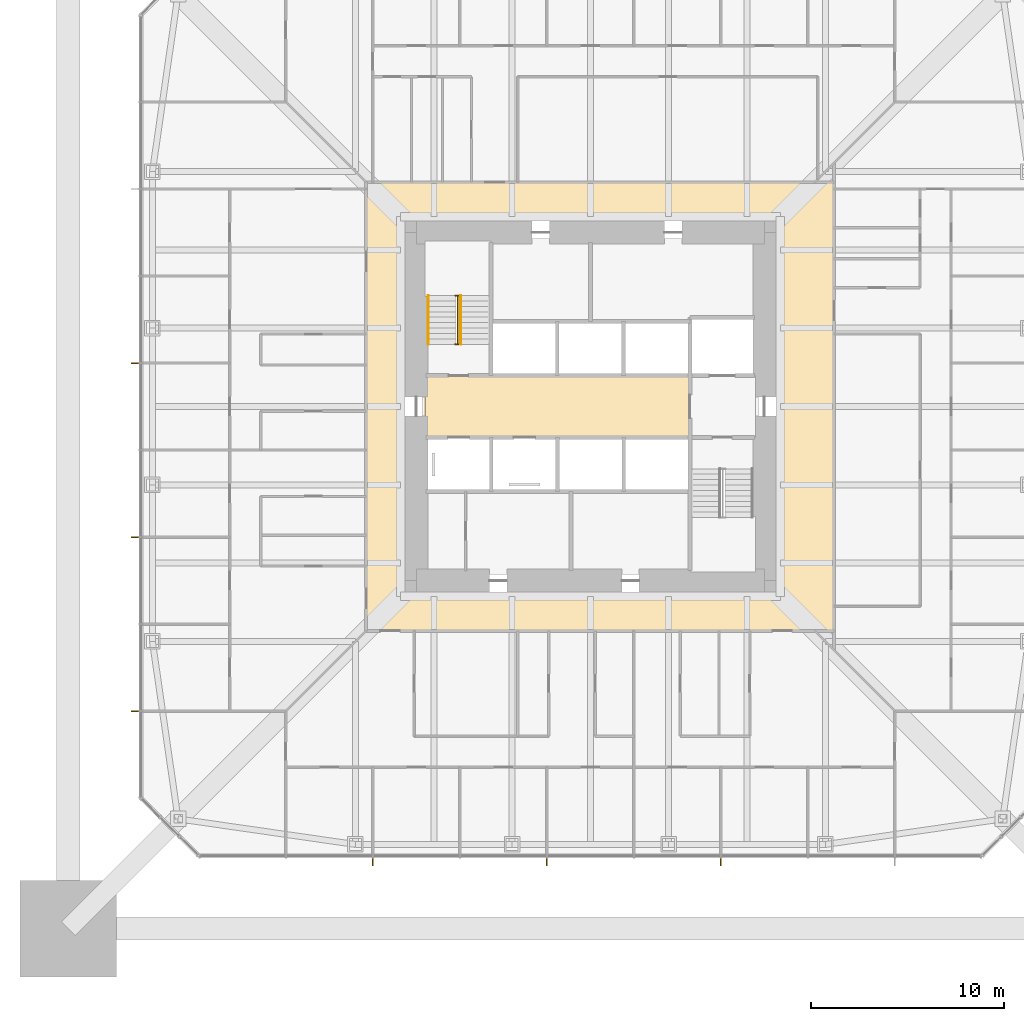
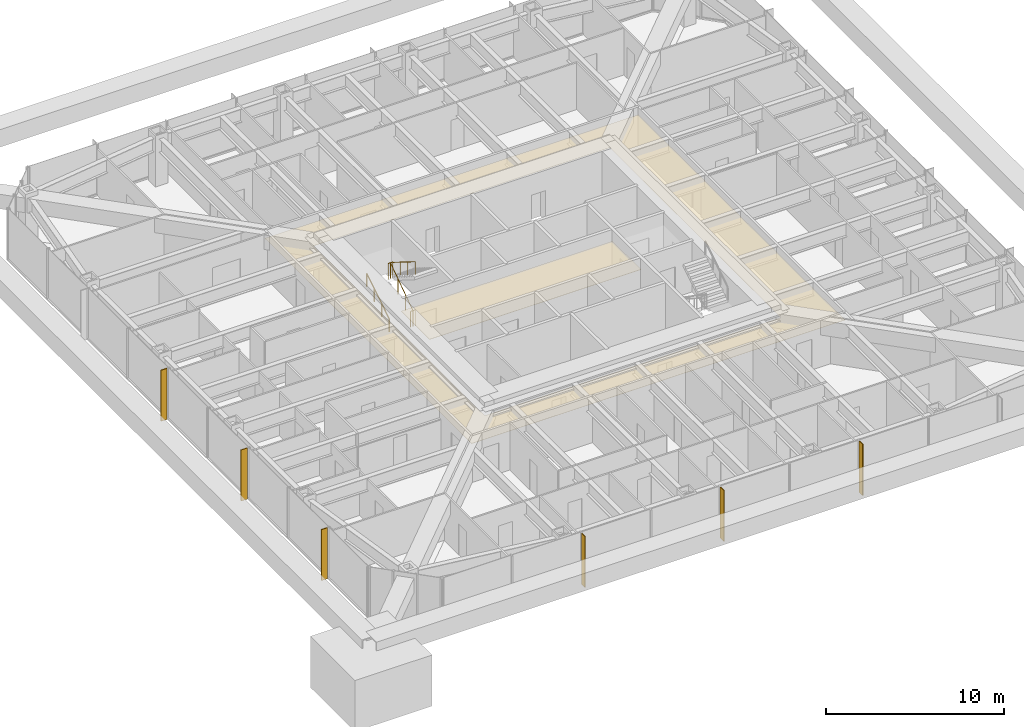
# One storey, part 29 of 32: 6 shading devices, 3 railings, 2 coverings.
"""IFC4 building model written with IfcOpenShell, lengths in metres."""

from ifc_helpers import new_model, si_unit, direction, frame, origin, origin_2d, place, context, subcontext, project, spatial, polyline, rectangle, circle, outline, extrude, material, layer, layer_set, constituent, constituent_set, type_object, element, save


model = new_model("IFC4")

# Units and contexts
model_context = context("Model", 3, precision=1e-05, world=origin(), true_north=direction((0.0, 1.0)))
body_context = subcontext(model_context, "Body", "Model", "MODEL_VIEW")
ifc_project = project(units=[si_unit("LENGTHUNIT", "METRE"), si_unit("AREAUNIT", "SQUARE_METRE"), si_unit("VOLUMEUNIT", "CUBIC_METRE"), si_unit("PLANEANGLEUNIT", "RADIAN"), si_unit("MASSUNIT", "GRAM", prefix="KILO")], contexts=[model_context])

# Site, building, storey
site_placement = place(None, origin())
site = spatial("IfcSite", under=ifc_project, at=site_placement, CompositionType="ELEMENT")
building_placement = place(site_placement, origin())
building = spatial("IfcBuilding", under=site, at=building_placement, Name="Iwan Alto Co-Living Towers", CompositionType="ELEMENT")
storey_placement = place(building_placement, frame((0.0, 0.0, 71.0)))
storey = spatial("IfcBuildingStorey", under=building, at=storey_placement, Name="L19", CompositionType="ELEMENT", Elevation=71.0)

# Covering
ifc_material_1 = material(Name="Mineral fibre acoustic tiles on steel grid", Category="steel")
ifc_layer_1 = layer(ifc_material_1, 0.02001953125)
ifc_layer_set_1 = layer_set([ifc_layer_1], Name="ACOUSTIC TILE CEILING 20")
covering_type_1 = type_object("IfcCoveringType", Name="ACOUSTIC TILE CEILING 20", PredefinedType="CEILING", material=ifc_layer_set_1)
covering_1_placement = place(storey_placement, frame((0.0, 0.0, 2.60009765625)))
element("IfcCovering", 1, at=covering_1_placement, inside=storey, type_object=covering_type_1, Name="Ceiling Lift lobby L19", PredefinedType="CEILING", context=body_context, shape_type="SweptSolid", body=[
    extrude(outline(polyline([(-8.550048828125, -1.60009765625), (-8.550048828125, 1.60009765625), (5.14990234375, 1.60009765625), (5.14990234375, -1.60009765625), (-8.550048828125, -1.60009765625)])), origin(), (0.0, 0.0, 1.0), 0.02001953125),
])

# Shading devices
ifc_material_2 = material(Name="Aluminium 6063-T6 bronze anodised", Category="aluminium")
ifc_layer_2 = layer(ifc_material_2, 0.050048828125)
ifc_layer_set_2 = layer_set([ifc_layer_2], Name="BRONZE FIN 50X400")
shading_device_type = type_object("IfcShadingDeviceType", Name="BRONZE FIN 50X400", PredefinedType="USERDEFINED", material=ifc_layer_set_2)
for number, where, z_axis, x_axis, name in (
    (2, (-11.25, -23.550048828125, 0.0), (0.0, 0.0, 1.0), (1.0, 0.0, 0.0), "Bronze fin L19"),
    (3, (-2.25, -23.550048828125, 0.0), (0.0, 0.0, 1.0), (1.0, 0.0, 0.0), "Bronze fin L19"),
    (4, (6.75, -23.550048828125, 0.0), (0.0, 0.0, 1.0), (1.0, 0.0, 0.0), "Bronze fin L19"),
    (5, (-23.550048828125, 2.25, 0.0), (0.0, 0.0, 1.0), (0.0, -1.0, 0.0), "Bronze fin L19"),
    (6, (-23.550048828125, -6.75, 0.0), (0.0, 0.0, 1.0), (0.0, -1.0, 0.0), "Bronze fin L19"),
    (7, (-23.550048828125, -15.75, 0.0), (0.0, 0.0, 1.0), (0.0, -1.0, 0.0), "Bronze fin L19"),
):
    element("IfcShadingDevice", number, at=place(storey_placement, frame(where, z_axis=z_axis, x_axis=x_axis)), inside=storey, type_object=shading_device_type, Name=name, ObjectType="LOUVER", PredefinedType="USERDEFINED", context=body_context, shape_type="SweptSolid", body=[
        extrude(rectangle(XDim=0.050048828125, YDim=0.39990234375, at=origin_2d()), origin(), (0.0, 0.0, 1.0), 3.5),
    ])

# Railings
ifc_material_3 = material(Name="Steel ASTM A500 Gr C", Category="steel")
ifc_constituent_1 = constituent(ifc_material_3, Name="Rails and posts", Category="Framing")
ifc_material_4 = material(Name="Steel ASTM A36", Category="steel")
ifc_constituent_2 = constituent(ifc_material_4, Name="Bar infill", Category="Infill")
ifc_constituent_set = constituent_set(constituents=[ifc_constituent_1, ifc_constituent_2], Name="STAIR GUARD 1100")
railing_type_1 = type_object("IfcRailingType", Name="STAIR GUARD 1100", PredefinedType="GUARDRAIL", material=ifc_constituent_set)
railing_1_placement = place(storey_placement, frame((-6.85009765625, 3.219970703125, 0.0)))
element("IfcRailing", 8, at=railing_1_placement, inside=storey, type_object=railing_type_1, Name="Stair T1-S1 well guard L19", PredefinedType="GUARDRAIL", context=body_context, shape_type="SweptSolid", body=[
    extrude(circle(Radius=0.02392578125, at=origin_2d()), frame((0.0, 0.0, 1.076171875), z_axis=(0.0, 0.821372036852, 0.570392826987), x_axis=(-1.0, 0.0, 0.0)), (0.0, 0.0, 1.0), 3.068115234375),
    extrude(circle(Radius=0.02392578125, at=origin_2d()), frame((-0.14990234375, 0.0, 1.076171875), z_axis=(1.0, 0.0, 0.0), x_axis=(0.0, 1.0, 0.0)), (0.0, 0.0, 1.0), 0.300048828125),
    extrude(circle(Radius=0.02392578125, at=origin_2d()), frame((-0.14990234375, 2.52001953125, 2.826171875), z_axis=(1.0, 0.0, 0.0), x_axis=(0.0, 1.0, 0.0)), (0.0, 0.0, 1.0), 0.300048828125),
    extrude(circle(Radius=0.02099609375, at=origin_2d()), origin(), (0.0, 0.0, 1.0), 1.052001953125),
    extrude(circle(Radius=0.02099609375, at=origin_2d()), frame((0.0, 0.840087890625, 0.583251953125)), (0.0, 0.0, 1.0), 1.052001953125),
    extrude(circle(Radius=0.02099609375, at=origin_2d()), frame((0.0, 1.679931640625, 1.166748046875)), (0.0, 0.0, 1.0), 1.052001953125),
    extrude(circle(Radius=0.02099609375, at=origin_2d()), frame((0.0, 2.52001953125, 1.75)), (0.0, 0.0, 1.0), 1.052001953125),
    extrude(circle(Radius=0.02099609375, at=origin_2d()), frame((-0.14990234375, 0.0, 0.0)), (0.0, 0.0, 1.0), 1.052001953125),
    extrude(circle(Radius=0.02099609375, at=origin_2d()), frame((0.150146484375, 0.0, 0.0)), (0.0, 0.0, 1.0), 1.052001953125),
    extrude(circle(Radius=0.02099609375, at=origin_2d()), frame((-0.14990234375, 2.52001953125, 1.75)), (0.0, 0.0, 1.0), 1.052001953125),
    extrude(circle(Radius=0.02099609375, at=origin_2d()), frame((0.150146484375, 2.52001953125, 1.75)), (0.0, 0.0, 1.0), 1.052001953125),
])
ifc_material_5 = material(Name="Steel ASTM A500 Gr C", Category="steel")
railing_type_2 = type_object("IfcRailingType", Name="STAIR HANDRAIL 900", PredefinedType="HANDRAIL", material=ifc_material_5)
railing_2_placement = place(storey_placement, frame((-8.3798828125, 3.219970703125, 0.175048828125)))
element("IfcRailing", 9, at=railing_2_placement, inside=storey, type_object=railing_type_2, Name="Stair T1-S1 handrail 1 L19", PredefinedType="HANDRAIL", context=body_context, shape_type="SweptSolid", body=[
    extrude(circle(Radius=0.02392578125, at=origin_2d()), frame((0.0, 0.0, 0.8759765625), z_axis=(0.0, 0.848007534815, 0.529984170421), x_axis=(-1.0, 0.0, 0.0)), (0.0, 0.0, 1.0), 2.9716796875),
    extrude(circle(Radius=0.02099609375, at=origin_2d()), origin(), (0.0, 0.0, 1.0), 0.851806640625),
    extrude(circle(Radius=0.02099609375, at=origin_2d()), frame((0.0, 0.840087890625, 0.52490234375)), (0.0, 0.0, 1.0), 0.851806640625),
    extrude(circle(Radius=0.02099609375, at=origin_2d()), frame((0.0, 1.679931640625, 1.050048828125)), (0.0, 0.0, 1.0), 0.851806640625),
    extrude(circle(Radius=0.02099609375, at=origin_2d()), frame((0.0, 2.52001953125, 1.574951171875)), (0.0, 0.0, 1.0), 0.851806640625),
])
railing_3_placement = place(storey_placement, frame((-6.699951171875, 5.739990234375, 1.925048828125)))
element("IfcRailing", 10, at=railing_3_placement, inside=storey, type_object=railing_type_2, Name="Stair T1-S1 handrail 2 L19", PredefinedType="HANDRAIL", context=body_context, shape_type="SweptSolid", body=[
    extrude(circle(Radius=0.02392578125, at=origin_2d()), frame((0.0, 0.0, 0.8759765625), z_axis=(0.0, -0.848007534815, 0.529984170421), x_axis=(1.0, 0.0, 0.0)), (0.0, 0.0, 1.0), 2.9716796875),
    extrude(circle(Radius=0.02099609375, at=origin_2d()), origin(), (0.0, 0.0, 1.0), 0.851806640625),
    extrude(circle(Radius=0.02099609375, at=origin_2d()), frame((0.0, -0.840087890625, 0.52490234375)), (0.0, 0.0, 1.0), 0.851806640625),
    extrude(circle(Radius=0.02099609375, at=origin_2d()), frame((0.0, -1.679931640625, 1.050048828125)), (0.0, 0.0, 1.0), 0.851806640625),
    extrude(circle(Radius=0.02099609375, at=origin_2d()), frame((0.0, -2.52001953125, 1.574951171875)), (0.0, 0.0, 1.0), 0.851806640625),
])

# Covering
ifc_material_6 = material(Name="Gypsum plasterboard on steel grid", Category="steel")
ifc_layer_3 = layer(ifc_material_6, 0.014892578125)
ifc_layer_set_3 = layer_set([ifc_layer_3], Name="SUSPENDED PLASTERBOARD CEILING 15")
covering_type_2 = type_object("IfcCoveringType", Name="SUSPENDED PLASTERBOARD CEILING 15", PredefinedType="CEILING", material=ifc_layer_set_3)
covering_2_placement = place(storey_placement, frame((0.0, 0.0, 2.60009765625)))
element("IfcCovering", 11, at=covering_2_placement, inside=storey, type_object=covering_type_2, Name="Ceiling Corridor L19", PredefinedType="CEILING", context=body_context, shape_type="SweptSolid", body=[
    extrude(outline(polyline([(-11.60009765625, 11.60009765625), (12.60009765625, 11.60009765625), (12.60009765625, -11.60009765625), (-11.60009765625, -11.60009765625), (-11.60009765625, 11.60009765625)]), holes=[polyline([(-9.60009765625, 9.60009765625), (-9.60009765625, -9.60009765625), (9.60009765625, -9.60009765625), (9.60009765625, 9.60009765625), (-9.60009765625, 9.60009765625)])]), origin(), (0.0, 0.0, 1.0), 0.014892578125),
])

save(model, "model.ifc")
